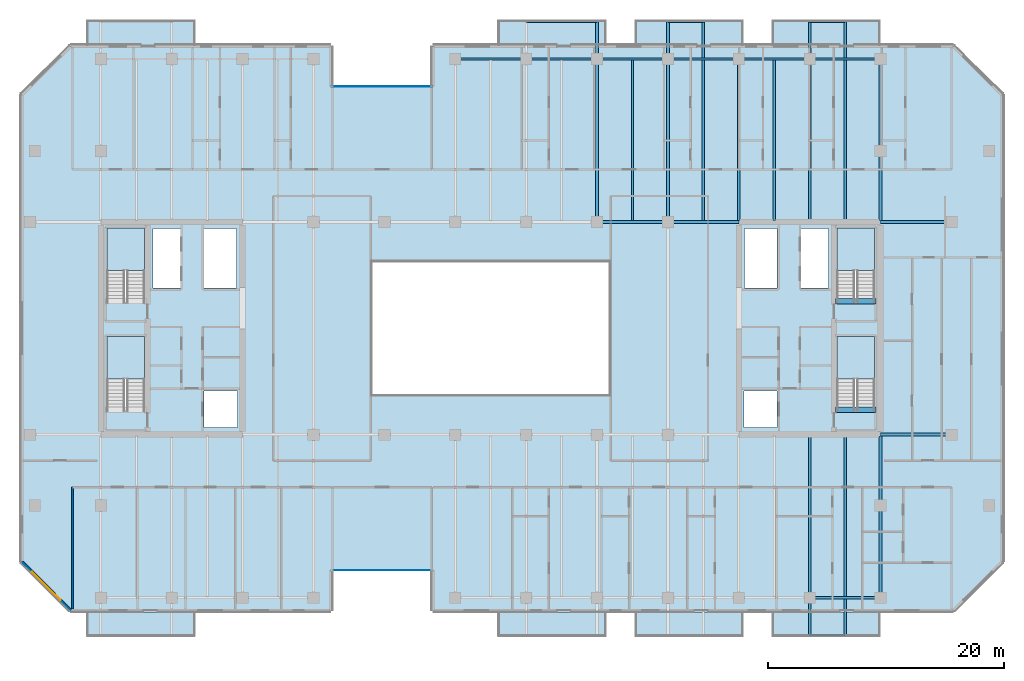
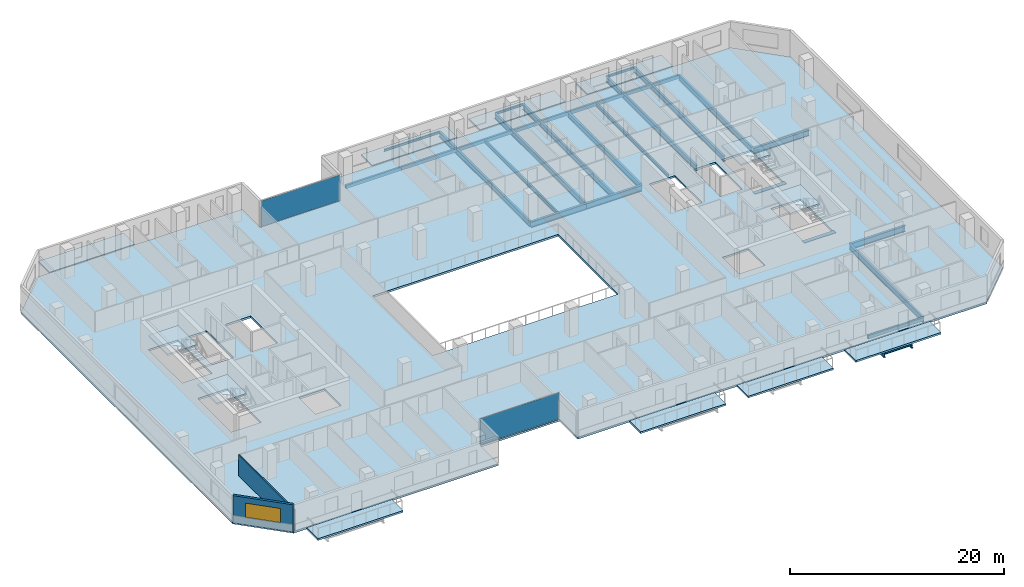
# One storey, part 9 of 23: 29 beams, 13 slabs, 2 plates, 2 walls, 1 window, 1 opening, 6 elements without a shape of their own.
"""IFC4 building model written with IfcOpenShell, lengths in metres."""

from ifc_helpers import new_model, si_unit, direction, frame, frame_2d, origin, origin_2d, place, context, subcontext, project, spatial, polyline, rectangle, hollow_rectangle, i_section, outline, extrude, material, layer, layer_set, material_profile, profile_set, type_object, element, fill, aggregate, save


model = new_model("IFC4")

# Units and contexts
model_context = context("Model", 3, precision=1e-05, world=origin(), true_north=direction((0.0, 1.0)))
body_context = subcontext(model_context, "Body", "Model", "MODEL_VIEW")
ifc_project = project(units=[si_unit("LENGTHUNIT", "METRE"), si_unit("AREAUNIT", "SQUARE_METRE"), si_unit("VOLUMEUNIT", "CUBIC_METRE"), si_unit("PLANEANGLEUNIT", "RADIAN"), si_unit("MASSUNIT", "GRAM", prefix="KILO")], contexts=[model_context])

# Site, building, storey
site_placement = place(None, origin())
site = spatial("IfcSite", under=ifc_project, at=site_placement, CompositionType="ELEMENT")
building_placement = place(site_placement, origin())
building = spatial("IfcBuilding", under=site, at=building_placement, Name="Tanjung Sevakor Pilgrim Tower", CompositionType="ELEMENT")
storey_placement = place(building_placement, frame((0.0, 0.0, 98.669921875)))
storey = spatial("IfcBuildingStorey", under=building, at=storey_placement, Name="L27", CompositionType="ELEMENT", Elevation=98.669921875)

# Beams
ifc_material_1 = material(Name="Steel S355J2", Category="steel")
ifc_material_profile_1 = material_profile(ifc_material_1, i_section(OverallWidth=0.25439453125, OverallDepth=0.6875, WebThickness=0.01318359375, FlangeThickness=0.02099609375, FilletRadius=0.01513671875, at=origin_2d()))
ifc_profile_set_1 = profile_set([ifc_material_profile_1], Name="Steel S355J2")
beam_type_1 = type_object("IfcBeamType", Name="BM-B-G2-UB_686x254x152", PredefinedType="BEAM", material=ifc_profile_set_1)
for number, where, z_axis, x_axis, name in (
    (1, (90.0, 24.60009765625, -0.563720703125), (1.0, 0.0, 0.0), (0.0, 1.0, 0.0), "L27 Primary Floor Girder MAIN Y246-09"),
    (2, (66.0, 42.60009765625, -0.563720703125), (1.0, 0.0, 0.0), (0.0, 1.0, 0.0), "L27 Primary Floor Girder MAIN Y426-07"),
    (3, (72.0, 42.60009765625, -0.563720703125), (1.0, 0.0, 0.0), (0.0, 1.0, 0.0), "L27 Primary Floor Girder MAIN Y426-08"),
    (4, (90.0, 42.60009765625, -0.563720703125), (1.0, 0.0, 0.0), (0.0, 1.0, 0.0), "L27 Primary Floor Girder MAIN Y426-09"),
):
    element("IfcBeam", number, at=place(storey_placement, frame(where, z_axis=z_axis, x_axis=x_axis)), inside=storey, type_object=beam_type_1, Name=name, PredefinedType="BEAM", context=body_context, shape_type="SweptSolid", body=[
        extrude(i_section(OverallWidth=0.25439453125, OverallDepth=0.6875, WebThickness=0.01318359375, FlangeThickness=0.02099609375, FilletRadius=0.01513671875, at=origin_2d()), origin(), (0.0, 0.0, 1.0), 6.0),
    ])
ifc_material_2 = material(Name="Steel S355J2", Category="steel")
ifc_material_profile_2 = material_profile(ifc_material_2, i_section(OverallWidth=0.230224609375, OverallDepth=0.6171875, WebThickness=0.01318359375, FlangeThickness=0.022216796875, FilletRadius=0.0126953125, at=origin_2d()))
ifc_profile_set_2 = profile_set([ifc_material_profile_2], Name="Steel S355J2")
beam_type_2 = type_object("IfcBeamType", Name="BM-B-G3-UB_610x229x140", PredefinedType="BEAM", material=ifc_profile_set_2)
for number, where, z_axis, x_axis, name in (
    (5, (66.0, 42.60009765625, -0.528564453125), (0.0, 1.0, 0.0), (-1.0, 0.0, 0.0), "L27 Balcony Cantilever Beam MAIN-N2-2"),
    (6, (72.0, 42.60009765625, -0.528564453125), (0.0, 1.0, 0.0), (-1.0, 0.0, 0.0), "L27 Balcony Cantilever Beam MAIN-N3-1"),
):
    element("IfcBeam", number, at=place(storey_placement, frame(where, z_axis=z_axis, x_axis=x_axis)), inside=storey, type_object=beam_type_2, Name=name, PredefinedType="BEAM", context=body_context, shape_type="SweptSolid", body=[
        extrude(i_section(OverallWidth=0.230224609375, OverallDepth=0.6171875, WebThickness=0.01318359375, FlangeThickness=0.022216796875, FilletRadius=0.0126953125, at=origin_2d()), origin(), (0.0, 0.0, 1.0), 16.97998046875),
    ])
beam_1_placement = place(storey_placement, frame((78.0, 42.727294921875, -0.528564453125), z_axis=(0.0, 1.0, 0.0), x_axis=(-1.0, 0.0, 0.0)))
element("IfcBeam", 7, at=beam_1_placement, inside=storey, type_object=beam_type_2, Name="L27 MAIN Girder 022", PredefinedType="BEAM", context=body_context, shape_type="SweptSolid", body=[
    extrude(i_section(OverallWidth=0.230224609375, OverallDepth=0.6171875, WebThickness=0.01318359375, FlangeThickness=0.022216796875, FilletRadius=0.0126953125, at=origin_2d()), origin(), (0.0, 0.0, 1.0), 13.672607421875),
])
beam_2_placement = place(storey_placement, frame((84.0, 24.47265625, -0.528564453125), z_axis=(0.0, -1.0, 0.0), x_axis=(1.0, 0.0, 0.0)))
element("IfcBeam", 8, at=beam_2_placement, inside=storey, type_object=beam_type_2, Name="L27 Balcony Cantilever Beam MAIN-S4-1", PredefinedType="BEAM", context=body_context, shape_type="SweptSolid", body=[
    extrude(i_section(OverallWidth=0.230224609375, OverallDepth=0.6171875, WebThickness=0.01318359375, FlangeThickness=0.022216796875, FilletRadius=0.0126953125, at=origin_2d()), origin(), (0.0, 0.0, 1.0), 16.8525390625),
])
beam_3_placement = place(storey_placement, frame((84.0, 42.727294921875, -0.528564453125), z_axis=(0.0, 1.0, 0.0), x_axis=(-1.0, 0.0, 0.0)))
element("IfcBeam", 9, at=beam_3_placement, inside=storey, type_object=beam_type_2, Name="L27 Balcony Cantilever Beam MAIN-N4-1", PredefinedType="BEAM", context=body_context, shape_type="SweptSolid", body=[
    extrude(i_section(OverallWidth=0.230224609375, OverallDepth=0.6171875, WebThickness=0.01318359375, FlangeThickness=0.022216796875, FilletRadius=0.0126953125, at=origin_2d()), origin(), (0.0, 0.0, 1.0), 16.852783203125),
])
for number, where, z_axis, x_axis, name in (
    (10, (90.0, 10.800048828125, -0.528564453125), (0.0, 1.0, 0.0), (-1.0, 0.0, 0.0), "L27 MAIN Girder 025"),
    (11, (90.0, 42.727294921875, -0.528564453125), (0.0, 1.0, 0.0), (-1.0, 0.0, 0.0), "L27 MAIN Girder 026"),
):
    element("IfcBeam", number, at=place(storey_placement, frame(where, z_axis=z_axis, x_axis=x_axis)), inside=storey, type_object=beam_type_2, Name=name, PredefinedType="BEAM", context=body_context, shape_type="SweptSolid", body=[
        extrude(i_section(OverallWidth=0.230224609375, OverallDepth=0.6171875, WebThickness=0.01318359375, FlangeThickness=0.022216796875, FilletRadius=0.0126953125, at=origin_2d()), origin(), (0.0, 0.0, 1.0), 13.672607421875),
    ])
ifc_material_3 = material(Name="Steel S355J2", Category="steel")
ifc_material_profile_3 = material_profile(ifc_material_3, i_section(OverallWidth=0.22900390625, OverallDepth=0.6123046875, WebThickness=0.011962890625, FlangeThickness=0.01953125, FilletRadius=0.0126953125, at=origin_2d()))
ifc_profile_set_3 = profile_set([ifc_material_profile_3], Name="Steel S355J2")
beam_type_3 = type_object("IfcBeamType", Name="BM-B-G4-UB_610x229x125", PredefinedType="BEAM", material=ifc_profile_set_3)
beam_4_placement = place(storey_placement, frame((75.0, 42.727294921875, -0.526123046875), z_axis=(0.0, 1.0, 0.0), x_axis=(-1.0, 0.0, 0.0)))
element("IfcBeam", 12, at=beam_4_placement, inside=storey, type_object=beam_type_3, Name="L27 Balcony Cantilever Beam MAIN-N3-2", PredefinedType="BEAM", context=body_context, shape_type="SweptSolid", body=[
    extrude(i_section(OverallWidth=0.22900390625, OverallDepth=0.6123046875, WebThickness=0.011962890625, FlangeThickness=0.01953125, FilletRadius=0.0126953125, at=origin_2d()), origin(), (0.0, 0.0, 1.0), 16.852783203125),
])
beam_5_placement = place(storey_placement, frame((87.0, 24.47265625, -0.526123046875), z_axis=(0.0, -1.0, 0.0), x_axis=(1.0, 0.0, 0.0)))
element("IfcBeam", 13, at=beam_5_placement, inside=storey, type_object=beam_type_3, Name="L27 Balcony Cantilever Beam MAIN-S4-2", PredefinedType="BEAM", context=body_context, shape_type="SweptSolid", body=[
    extrude(i_section(OverallWidth=0.22900390625, OverallDepth=0.6123046875, WebThickness=0.011962890625, FlangeThickness=0.01953125, FilletRadius=0.0126953125, at=origin_2d()), origin(), (0.0, 0.0, 1.0), 16.8525390625),
])
beam_6_placement = place(storey_placement, frame((87.0, 42.727294921875, -0.526123046875), z_axis=(0.0, 1.0, 0.0), x_axis=(-1.0, 0.0, 0.0)))
element("IfcBeam", 14, at=beam_6_placement, inside=storey, type_object=beam_type_3, Name="L27 Balcony Cantilever Beam MAIN-N4-2", PredefinedType="BEAM", context=body_context, shape_type="SweptSolid", body=[
    extrude(i_section(OverallWidth=0.22900390625, OverallDepth=0.6123046875, WebThickness=0.011962890625, FlangeThickness=0.01953125, FilletRadius=0.0126953125, at=origin_2d()), origin(), (0.0, 0.0, 1.0), 16.852783203125),
])
ifc_material_4 = material(Name="Steel S355J2", Category="steel")
ifc_material_profile_4 = material_profile(ifc_material_4, i_section(OverallWidth=0.1787109375, OverallDepth=0.409423828125, WebThickness=0.0087890625, FlangeThickness=0.014404296875, FilletRadius=0.01025390625, at=origin_2d()))
ifc_profile_set_4 = profile_set([ifc_material_profile_4], Name="Steel S355J2")
beam_type_4 = type_object("IfcBeamType", Name="BM-B-J3-UB_406x178x67", PredefinedType="JOIST", material=ifc_profile_set_4)
for number, where, z_axis, x_axis, name in (
    (15, (69.0, 42.727294921875, -0.424560546875), (0.0, 1.0, 0.0), (-1.0, 0.0, 0.0), "L27 MAIN Joist 019"),
    (16, (81.0, 42.727294921875, -0.424560546875), (0.0, 1.0, 0.0), (-1.0, 0.0, 0.0), "L27 MAIN Joist 024"),
):
    element("IfcBeam", number, at=place(storey_placement, frame(where, z_axis=z_axis, x_axis=x_axis)), inside=storey, type_object=beam_type_4, Name=name, PredefinedType="JOIST", context=body_context, shape_type="SweptSolid", body=[
        extrude(i_section(OverallWidth=0.1787109375, OverallDepth=0.409423828125, WebThickness=0.0087890625, FlangeThickness=0.014404296875, FilletRadius=0.01025390625, at=origin_2d()), origin(), (0.0, 0.0, 1.0), 13.57275390625),
    ])
ifc_material_5 = material(Name="Steel S355J2", Category="steel")
ifc_material_profile_5 = material_profile(ifc_material_5, i_section(OverallWidth=0.146484375, OverallDepth=0.256103515625, WebThickness=0.00634765625, FlangeThickness=0.010986328125, FilletRadius=0.007568359375, at=origin_2d()))
ifc_profile_set_5 = profile_set([ifc_material_profile_5], Name="Steel S355J2")
beam_type_5 = type_object("IfcBeamType", Name="BM-B-J6-UB_254x146x37", PredefinedType="JOIST", material=ifc_profile_set_5)
beam_7_placement = place(storey_placement, frame((60.0, 59.580078125, -0.327880859375), z_axis=(1.0, 0.0, 0.0), x_axis=(0.0, 1.0, 0.0)))
element("IfcBeam", 17, at=beam_7_placement, inside=storey, type_object=beam_type_5, Name="L27 Balcony Rim Tie MAIN-N2", PredefinedType="JOIST", context=body_context, shape_type="SweptSolid", body=[
    extrude(i_section(OverallWidth=0.146484375, OverallDepth=0.256103515625, WebThickness=0.00634765625, FlangeThickness=0.010986328125, FilletRadius=0.007568359375, at=origin_2d()), origin(), (0.0, 0.0, 1.0), 6.0),
])
for number, where, z_axis, x_axis, name in (
    (18, (72.0, 59.580078125, -0.327880859375), (1.0, 0.0, 0.0), (0.0, 1.0, 0.0), "L27 Balcony Rim Tie MAIN-N3"),
    (19, (84.0, 7.6201171875, -0.327880859375), (1.0, 0.0, 0.0), (0.0, 1.0, 0.0), "L27 Balcony Rim Tie MAIN-S4"),
    (20, (84.0, 59.580078125, -0.327880859375), (1.0, 0.0, 0.0), (0.0, 1.0, 0.0), "L27 Balcony Rim Tie MAIN-N4"),
):
    element("IfcBeam", number, at=place(storey_placement, frame(where, z_axis=z_axis, x_axis=x_axis)), inside=storey, type_object=beam_type_5, Name=name, PredefinedType="JOIST", context=body_context, shape_type="SweptSolid", body=[
        extrude(i_section(OverallWidth=0.146484375, OverallDepth=0.256103515625, WebThickness=0.00634765625, FlangeThickness=0.010986328125, FilletRadius=0.007568359375, at=origin_2d()), origin(), (0.0, 0.0, 1.0), 3.0),
    ])
ifc_material_6 = material(Name="Concrete C60/75", Category="concrete")
ifc_material_profile_6 = material_profile(ifc_material_6, rectangle(XDim=0.449951171875, YDim=0.699951171875, at=origin_2d()))
ifc_profile_set_6 = profile_set([ifc_material_profile_6], Name="Concrete C60/75")
beam_type_6 = type_object("IfcBeamType", Name="BM-B-LN3-RC-BM_450x700", PredefinedType="LINTEL", material=ifc_profile_set_6)
for number, where, z_axis, x_axis, name in (
    (21, (86.199951171875, 26.699951171875, -0.349853515625), (1.0, 0.0, 0.0), (0.0, 1.0, 0.0), "L27 TS-E1 Stair Threshold Beam"),
    (22, (86.199951171875, 35.89990234375, -0.349853515625), (1.0, 0.0, 0.0), (0.0, 1.0, 0.0), "L27 TS-E2 Stair Threshold Beam"),
):
    element("IfcBeam", number, at=place(storey_placement, frame(where, z_axis=z_axis, x_axis=x_axis)), inside=storey, type_object=beam_type_6, Name=name, PredefinedType="LINTEL", context=body_context, shape_type="SweptSolid", body=[
        extrude(rectangle(XDim=0.449951171875, YDim=0.699951171875, at=origin_2d()), origin(), (0.0, 0.0, 1.0), 3.400146484375),
    ])
ifc_material_7 = material(Name="Steel S355J2", Category="steel")
ifc_material_profile_7 = material_profile(ifc_material_7, hollow_rectangle(XDim=0.199951171875, YDim=0.39990234375, WallThickness=0.01611328125, at=origin_2d()))
ifc_profile_set_7 = profile_set([ifc_material_profile_7], Name="Steel S355J2")
beam_type_7 = type_object("IfcBeamType", Name="BM-B-SP2-RHS_400x200x16", PredefinedType="SPANDREL", material=ifc_profile_set_7)
for number, where, z_axis, x_axis, name in (
    (23, (54.0, 56.39990234375, -0.419921875), (1.0, 0.0, 0.0), (0.0, 1.0, 0.0), "L27 Spandrel MAIN N-08"),
    (24, (60.0, 56.39990234375, -0.419921875), (1.0, 0.0, 0.0), (0.0, 1.0, 0.0), "L27 Spandrel MAIN N-10"),
    (25, (66.0, 56.39990234375, -0.419921875), (1.0, 0.0, 0.0), (0.0, 1.0, 0.0), "L27 Spandrel MAIN N-12"),
    (26, (72.0, 56.39990234375, -0.419921875), (1.0, 0.0, 0.0), (0.0, 1.0, 0.0), "L27 Spandrel MAIN N-14"),
    (27, (78.0, 56.39990234375, -0.419921875), (1.0, 0.0, 0.0), (0.0, 1.0, 0.0), "L27 Spandrel MAIN N-16"),
    (28, (84.0, 10.800048828125, -0.419921875), (1.0, 0.0, 0.0), (0.0, 1.0, 0.0), "L27 Spandrel MAIN S-17"),
    (29, (84.0, 56.39990234375, -0.419921875), (1.0, 0.0, 0.0), (0.0, 1.0, 0.0), "L27 Spandrel MAIN N-18"),
):
    element("IfcBeam", number, at=place(storey_placement, frame(where, z_axis=z_axis, x_axis=x_axis)), inside=storey, type_object=beam_type_7, Name=name, PredefinedType="SPANDREL", context=body_context, shape_type="SweptSolid", body=[
        extrude(hollow_rectangle(XDim=0.199951171875, YDim=0.39990234375, WallThickness=0.01611328125, at=origin_2d()), origin(), (0.0, 0.0, 1.0), 6.0),
    ])

# Slabs
ifc_material_8 = material(Name="Concrete C40/50", Category="concrete")
ifc_layer_1 = layer(ifc_material_8, 0.199951171875)
ifc_layer_set_1 = layer_set([ifc_layer_1], Name="SL-BAL-200")
slab_type_1 = type_object("IfcSlabType", Name="SL-BAL-200", PredefinedType="FLOOR", material=ifc_layer_set_1)
slab_1_placement = place(storey_placement, frame((0.0, 0.0, -0.199951171875)))
element("IfcSlab", 30, at=slab_1_placement, inside=storey, type_object=slab_type_1, Name="L27 Planted Loggia Balcony MAIN-S1", PredefinedType="FLOOR", context=body_context, shape_type="SweptSolid", body=[
    extrude(outline(polyline([(22.800048828125, 7.5), (32.0, 7.5), (32.0, 9.60009765625), (22.800048828125, 9.60009765625), (22.800048828125, 7.5)])), origin(), (0.0, 0.0, 1.0), 0.199951171875),
])
slab_2_placement = place(storey_placement, frame((0.0, 0.0, -0.199951171875)))
element("IfcSlab", 31, at=slab_2_placement, inside=storey, type_object=slab_type_1, Name="L27 Planted Loggia Balcony MAIN-N1", PredefinedType="FLOOR", context=body_context, shape_type="SweptSolid", body=[
    extrude(outline(polyline([(22.800048828125, 57.60009765625), (32.0, 57.60009765625), (32.0, 59.699951171875), (22.800048828125, 59.699951171875), (22.800048828125, 57.60009765625)])), origin(), (0.0, 0.0, 1.0), 0.199951171875),
])
slab_3_placement = place(storey_placement, frame((0.0, 0.0, -0.199951171875)))
element("IfcSlab", 32, at=slab_3_placement, inside=storey, type_object=slab_type_1, Name="L27 Planted Loggia Balcony MAIN-S2", PredefinedType="FLOOR", context=body_context, shape_type="SweptSolid", body=[
    extrude(outline(polyline([(57.60009765625, 7.5), (66.800048828125, 7.5), (66.800048828125, 9.60009765625), (57.60009765625, 9.60009765625), (57.60009765625, 7.5)])), origin(), (0.0, 0.0, 1.0), 0.199951171875),
])
slab_4_placement = place(storey_placement, frame((0.0, 0.0, -0.199951171875)))
element("IfcSlab", 33, at=slab_4_placement, inside=storey, type_object=slab_type_1, Name="L27 Planted Loggia Balcony MAIN-N2", PredefinedType="FLOOR", context=body_context, shape_type="SweptSolid", body=[
    extrude(outline(polyline([(57.60009765625, 57.60009765625), (66.800048828125, 57.60009765625), (66.800048828125, 59.699951171875), (57.60009765625, 59.699951171875), (57.60009765625, 57.60009765625)])), origin(), (0.0, 0.0, 1.0), 0.199951171875),
])
slab_5_placement = place(storey_placement, frame((0.0, 0.0, -0.199951171875)))
element("IfcSlab", 34, at=slab_5_placement, inside=storey, type_object=slab_type_1, Name="L27 Planted Loggia Balcony MAIN-S3", PredefinedType="FLOOR", context=body_context, shape_type="SweptSolid", body=[
    extrude(outline(polyline([(69.199951171875, 7.5), (78.39990234375, 7.5), (78.39990234375, 9.60009765625), (69.199951171875, 9.60009765625), (69.199951171875, 7.5)])), origin(), (0.0, 0.0, 1.0), 0.199951171875),
])
slab_6_placement = place(storey_placement, frame((0.0, 0.0, -0.199951171875)))
element("IfcSlab", 35, at=slab_6_placement, inside=storey, type_object=slab_type_1, Name="L27 Planted Loggia Balcony MAIN-N3", PredefinedType="FLOOR", context=body_context, shape_type="SweptSolid", body=[
    extrude(outline(polyline([(69.199951171875, 57.60009765625), (78.39990234375, 57.60009765625), (78.39990234375, 59.699951171875), (69.199951171875, 59.699951171875), (69.199951171875, 57.60009765625)])), origin(), (0.0, 0.0, 1.0), 0.199951171875),
])
slab_7_placement = place(storey_placement, frame((0.0, 0.0, -0.199951171875)))
element("IfcSlab", 36, at=slab_7_placement, inside=storey, type_object=slab_type_1, Name="L27 Planted Loggia Balcony MAIN-S4", PredefinedType="FLOOR", context=body_context, shape_type="SweptSolid", body=[
    extrude(outline(polyline([(80.800048828125, 7.5), (90.0, 7.5), (90.0, 9.60009765625), (80.800048828125, 9.60009765625), (80.800048828125, 7.5)])), origin(), (0.0, 0.0, 1.0), 0.199951171875),
])
slab_8_placement = place(storey_placement, frame((0.0, 0.0, -0.199951171875)))
element("IfcSlab", 37, at=slab_8_placement, inside=storey, type_object=slab_type_1, Name="L27 Planted Loggia Balcony MAIN-N4", PredefinedType="FLOOR", context=body_context, shape_type="SweptSolid", body=[
    extrude(outline(polyline([(80.800048828125, 57.60009765625), (90.0, 57.60009765625), (90.0, 59.699951171875), (80.800048828125, 59.699951171875), (80.800048828125, 57.60009765625)])), origin(), (0.0, 0.0, 1.0), 0.199951171875),
])

# Stair, slab
ifc_material_9 = material(Name="Concrete C40/50", Category="concrete")
stair_type = type_object("IfcStairType", Name="STAIR-ST-CR150", PredefinedType="HALF_TURN_STAIR", material=ifc_material_9)
stair_1_placement = place(storey_placement, origin())
stair_1 = element("IfcStair", 38, at=stair_1_placement, inside=storey, type_object=stair_type, Name="L27 West Core Exit Stair 1", PredefinedType="HALF_TURN_STAIR")
ifc_material_10 = material(Name="Concrete C40/50", Category="concrete")
ifc_layer_2 = layer(ifc_material_10, 0.199951171875)
ifc_layer_set_2 = layer_set([ifc_layer_2], Name="SL-LAND-200")
slab_type_2 = type_object("IfcSlabType", Name="SL-LAND-200", PredefinedType="LANDING", material=ifc_layer_set_2)
slab_9_placement = place(storey_placement, frame((0.0, 0.0, 1.4501953125)))
slab_9 = element("IfcSlab", 39, at=slab_9_placement, type_object=slab_type_2, Name="TS-W1 landing 1", PredefinedType="LANDING", context=body_context, shape_type="SweptSolid", body=[
    extrude(outline(polyline([(27.699951171875, 29.300048828125), (27.699951171875, 32.89990234375), (24.5, 32.89990234375), (24.5, 29.300048828125), (27.699951171875, 29.300048828125)])), origin(), (0.0, 0.0, 1.0), 0.199951171875),
])
aggregate(stair_1, [slab_9])

stair_2_placement = place(storey_placement, origin())
stair_2 = element("IfcStair", 40, at=stair_2_placement, inside=storey, type_object=stair_type, Name="L27 West Core Exit Stair 2", PredefinedType="HALF_TURN_STAIR")
slab_10_placement = place(storey_placement, frame((0.0, 0.0, 1.4501953125)))
slab_10 = element("IfcSlab", 41, at=slab_10_placement, type_object=slab_type_2, Name="TS-W2 landing 1", PredefinedType="LANDING", context=body_context, shape_type="SweptSolid", body=[
    extrude(outline(polyline([(27.699951171875, 38.5), (27.699951171875, 42.10009765625), (24.5, 42.10009765625), (24.5, 38.5), (27.699951171875, 38.5)])), origin(), (0.0, 0.0, 1.0), 0.199951171875),
])
aggregate(stair_2, [slab_10])

stair_3_placement = place(storey_placement, origin())
stair_3 = element("IfcStair", 42, at=stair_3_placement, inside=storey, type_object=stair_type, Name="L27 East Core Exit Stair 1", PredefinedType="HALF_TURN_STAIR")
slab_11_placement = place(storey_placement, frame((0.0, 0.0, 1.4501953125)))
slab_11 = element("IfcSlab", 43, at=slab_11_placement, type_object=slab_type_2, Name="TS-E1 landing 1", PredefinedType="LANDING", context=body_context, shape_type="SweptSolid", body=[
    extrude(outline(polyline([(89.5, 29.300048828125), (89.5, 32.89990234375), (86.300048828125, 32.89990234375), (86.300048828125, 29.300048828125), (89.5, 29.300048828125)])), origin(), (0.0, 0.0, 1.0), 0.199951171875),
])
aggregate(stair_3, [slab_11])

stair_4_placement = place(storey_placement, origin())
stair_4 = element("IfcStair", 44, at=stair_4_placement, inside=storey, type_object=stair_type, Name="L27 East Core Exit Stair 2", PredefinedType="HALF_TURN_STAIR")
slab_12_placement = place(storey_placement, frame((0.0, 0.0, 1.4501953125)))
slab_12 = element("IfcSlab", 45, at=slab_12_placement, type_object=slab_type_2, Name="TS-E2 landing 1", PredefinedType="LANDING", context=body_context, shape_type="SweptSolid", body=[
    extrude(outline(polyline([(89.5, 38.5), (89.5, 42.10009765625), (86.300048828125, 42.10009765625), (86.300048828125, 38.5), (89.5, 38.5)])), origin(), (0.0, 0.0, 1.0), 0.199951171875),
])
aggregate(stair_4, [slab_12])

# Slab
ifc_material_11 = material(Name="Concrete C40/50", Category="concrete")
ifc_layer_3 = layer(ifc_material_11, 0.219970703125)
ifc_layer_set_3 = layer_set([ifc_layer_3], Name="SL-TWR-220")
slab_type_3 = type_object("IfcSlabType", Name="SL-TWR-220", PredefinedType="FLOOR", material=ifc_layer_set_3)
slab_13_placement = place(storey_placement, frame((0.0, 0.0, -0.219970703125)))
element("IfcSlab", 46, at=slab_13_placement, inside=storey, type_object=slab_type_3, Name="L27 Floor Slab MAIN", PredefinedType="FLOOR", context=body_context, shape_type="SweptSolid", body=[
    extrude(outline(polyline([(21.447021484375, 9.679931640625), (43.52001953125, 9.679931640625), (43.52001953125, 13.080078125), (52.080078125, 13.080078125), (52.080078125, 9.679931640625), (96.153076171875, 9.679931640625), (100.320068359375, 13.846923828125), (100.320068359375, 53.35302734375), (96.153076171875, 57.52001953125), (52.080078125, 57.52001953125), (52.080078125, 54.1201171875), (43.52001953125, 54.1201171875), (43.52001953125, 57.52001953125), (21.447021484375, 57.52001953125), (17.280029296875, 53.35302734375), (17.280029296875, 13.846923828125), (21.447021484375, 9.679931640625)]), holes=[polyline([(27.699951171875, 26.60009765625), (27.699951171875, 32.89990234375), (24.5, 32.89990234375), (24.5, 26.60009765625), (27.699951171875, 26.60009765625)]), polyline([(27.699951171875, 35.800048828125), (27.699951171875, 42.10009765625), (24.5, 42.10009765625), (24.5, 35.800048828125), (27.699951171875, 35.800048828125)]), polyline([(89.5, 26.60009765625), (89.5, 32.89990234375), (86.300048828125, 32.89990234375), (86.300048828125, 26.60009765625), (89.5, 26.60009765625)]), polyline([(89.5, 35.800048828125), (89.5, 42.10009765625), (86.300048828125, 42.10009765625), (86.300048828125, 35.800048828125), (89.5, 35.800048828125)]), polyline([(32.75, 25.199951171875), (35.550048828125, 25.199951171875), (35.550048828125, 28.300048828125), (32.75, 28.300048828125), (32.75, 25.199951171875)]), polyline([(28.39990234375, 37.0), (30.75, 37.0), (30.75, 42.050048828125), (28.39990234375, 42.050048828125), (28.39990234375, 37.0)]), polyline([(32.75, 37.0), (35.5, 37.0), (35.5, 42.050048828125), (32.75, 42.050048828125), (32.75, 37.0)]), polyline([(78.449951171875, 25.199951171875), (81.25, 25.199951171875), (81.25, 28.300048828125), (78.449951171875, 28.300048828125), (78.449951171875, 25.199951171875)]), polyline([(83.25, 37.0), (85.60009765625, 37.0), (85.60009765625, 42.050048828125), (83.25, 42.050048828125), (83.25, 37.0)]), polyline([(78.5, 37.0), (81.25, 37.0), (81.25, 42.050048828125), (78.5, 42.050048828125), (78.5, 37.0)]), polyline([(47.0, 28.0), (67.0, 28.0), (67.0, 39.199951171875), (47.0, 39.199951171875), (47.0, 28.0)])]), origin(), (0.0, 0.0, 1.0), 0.219970703125),
])

# Curtain wall, plate
ifc_material_12 = material(Name="Aluminium 6063-T6 and Low-E Glass", Category="aluminium")
ifc_layer_4 = layer(ifc_material_12, 0.179931640625)
ifc_layer_set_4 = layer_set([ifc_layer_4], Name="CW-SYS-CLEFT")
curtain_wall_type = type_object("IfcCurtainWallType", Name="CW-SYS-CLEFT", PredefinedType="NOTDEFINED", material=ifc_layer_set_4)
curtain_wall_1_placement = place(storey_placement, origin())
curtain_wall_1 = element("IfcCurtainWall", 47, at=curtain_wall_1_placement, inside=storey, type_object=curtain_wall_type, Name="L27 Curtain Wall CW-CLF-L27-2", PredefinedType="NOTDEFINED")
ifc_material_13 = material(Name="Laminated Low-E Double Glazing", Category="glass")
ifc_layer_5 = layer(ifc_material_13, 0.028076171875)
ifc_layer_set_5 = layer_set([ifc_layer_5], Name="TYPE-CWP-GLZ1")
plate_type = type_object("IfcPlateType", Name="TYPE-CWP-GLZ1", PredefinedType="CURTAIN_PANEL", material=ifc_layer_set_5)
plate_1_placement = place(storey_placement, frame((47.800048828125, 13.125, 0.06494140625), z_axis=(0.0, 0.0, 1.0), x_axis=(1.0, 0.0, 0.0)))
plate_1 = element("IfcPlate", 48, at=plate_1_placement, type_object=plate_type, Name="CW-CLF panel 1.1", PredefinedType="CURTAIN_PANEL", context=body_context, shape_type="SweptSolid", body=[
    extrude(rectangle(XDim=8.5, YDim=0.028076171875, at=origin_2d()), origin(), (0.0, 0.0, 1.0), 2.949951171875),
])
aggregate(curtain_wall_1, [plate_1])

curtain_wall_2_placement = place(storey_placement, origin())
curtain_wall_2 = element("IfcCurtainWall", 49, at=curtain_wall_2_placement, inside=storey, type_object=curtain_wall_type, Name="L27 Curtain Wall CW-CLF-L27-10", PredefinedType="NOTDEFINED")
plate_2_placement = place(storey_placement, frame((47.800048828125, 54.074951171875, 0.06494140625), z_axis=(0.0, 0.0, 1.0), x_axis=(-1.0, 0.0, 0.0)))
plate_2 = element("IfcPlate", 50, at=plate_2_placement, type_object=plate_type, Name="CW-CLF panel 1.1", PredefinedType="CURTAIN_PANEL", context=body_context, shape_type="SweptSolid", body=[
    extrude(rectangle(XDim=8.5, YDim=0.028076171875, at=origin_2d()), origin(), (0.0, 0.0, 1.0), 2.949951171875),
])
aggregate(curtain_wall_2, [plate_2])

# Wall
ifc_material_14 = material(Name="Concrete C40/50", Category="concrete")
ifc_layer_6 = layer(ifc_material_14, 0.14990234375)
ifc_layer_set_6 = layer_set([ifc_layer_6], Name="WT-COMP-150")
wall_type_1 = type_object("IfcWallType", Name="WT-COMP-150", PredefinedType="SOLIDWALL", material=ifc_layer_set_6)
wall_1_placement = place(storey_placement, frame((21.60009765625, 9.85009765625, 0.0), z_axis=(0.0, 0.0, 1.0), x_axis=(0.0, 1.0, 0.0)))
element("IfcWall", 51, at=wall_1_placement, inside=storey, type_object=wall_type_1, Name="L27 Partition IW-L27-047", PredefinedType="SOLIDWALL", context=body_context, shape_type="SweptSolid", body=[
    extrude(rectangle(XDim=10.2998046875, YDim=0.14990234375, at=frame_2d((5.14990234375, 0.0))), origin(), (0.0, 0.0, 1.0), 2.35009765625),
])

# Wall, opening, window
ifc_material_15 = material(Name="Precast concrete C45/55", Category="concrete")
ifc_layer_7 = layer(ifc_material_15, 0.25)
ifc_layer_set_7 = layer_set([ifc_layer_7], Name="WT-EW-STN3")
wall_type_2 = type_object("IfcWallType", Name="WT-EW-STN3", PredefinedType="SOLIDWALL", material=ifc_layer_set_7)
wall_2_placement = place(storey_placement, frame((17.324951171875, 13.851806640625, 0.0), z_axis=(0.0, 0.0, 1.0), x_axis=(0.707127696864, -0.70708586489, 0.0)))
wall_2 = element("IfcWall", 52, at=wall_2_placement, inside=storey, type_object=wall_type_2, Name="L27 MAIN Sculpted Corner Wall 15", PredefinedType="SOLIDWALL", context=body_context, shape_type="SweptSolid", body=[
    extrude(rectangle(XDim=5.836181640625, YDim=0.25, at=frame_2d((2.91796875, 0.0))), origin(), (0.0, 0.0, 1.0), 3.080078125),
])
opening_placement = place(wall_2_placement, frame((1.218017578125, 0.0, 0.780029296875)))
opening = element("IfcOpeningElement", 53, at=opening_placement, cuts=wall_2, Name="Opening WN-CHM-1660", PredefinedType="OPENING", context=body_context, shape_type="SweptSolid", body=[
    extrude(rectangle(XDim=3.39990234375, YDim=1.659912109375, at=frame_2d((1.699951171875, 0.830078125))), frame((0.0, 0.135009765625, 0.0), z_axis=(0.0, -1.0, 0.0), x_axis=(1.0, 0.0, 0.0)), (0.0, 0.0, 1.0), 0.27001953125),
])
ifc_material_16 = material(Name="Thermally Broken Aluminium and Low-E Glass", Category="aluminium")
window_type = type_object("IfcWindowType", Name="WTYP-WN-CHM-1660", PartitioningType="DOUBLE_PANEL_VERTICAL", PredefinedType="WINDOW", material=ifc_material_16)
window_placement = place(opening_placement, origin())
window = element("IfcWindow", 54, at=window_placement, inside=storey, type_object=window_type, Name="L27 Facade Window 01", OverallHeight=1.659912109375, OverallWidth=3.39990234375, PartitioningType="SINGLE_PANEL", PredefinedType="WINDOW", context=body_context, shape_type="SweptSolid", body=[
    extrude(rectangle(XDim=3.39990234375, YDim=1.659912109375, at=frame_2d((1.699951171875, 0.830078125))), frame((0.0, 0.030029296875, 0.0), z_axis=(0.0, -1.0, 0.0), x_axis=(1.0, 0.0, 0.0)), (0.0, 0.0, 1.0), 0.06005859375),
])
fill(opening, window)

save(model, "model.ifc")
